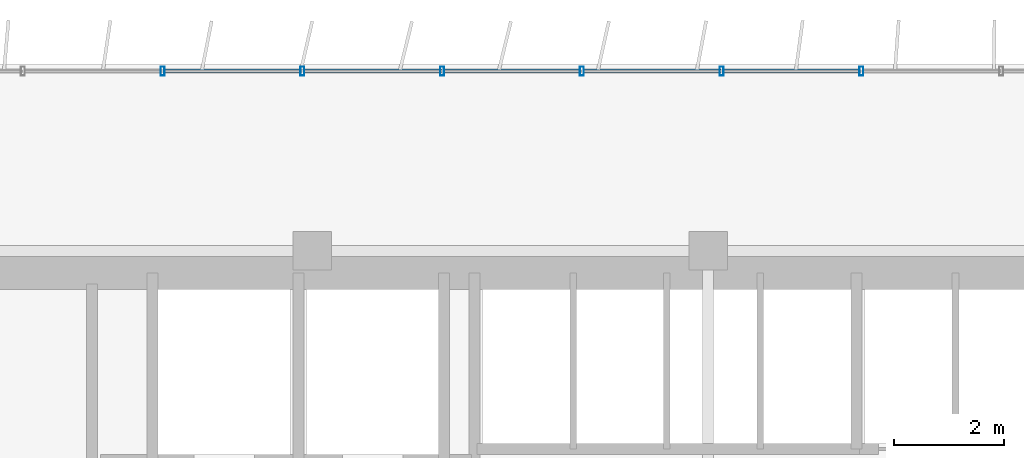
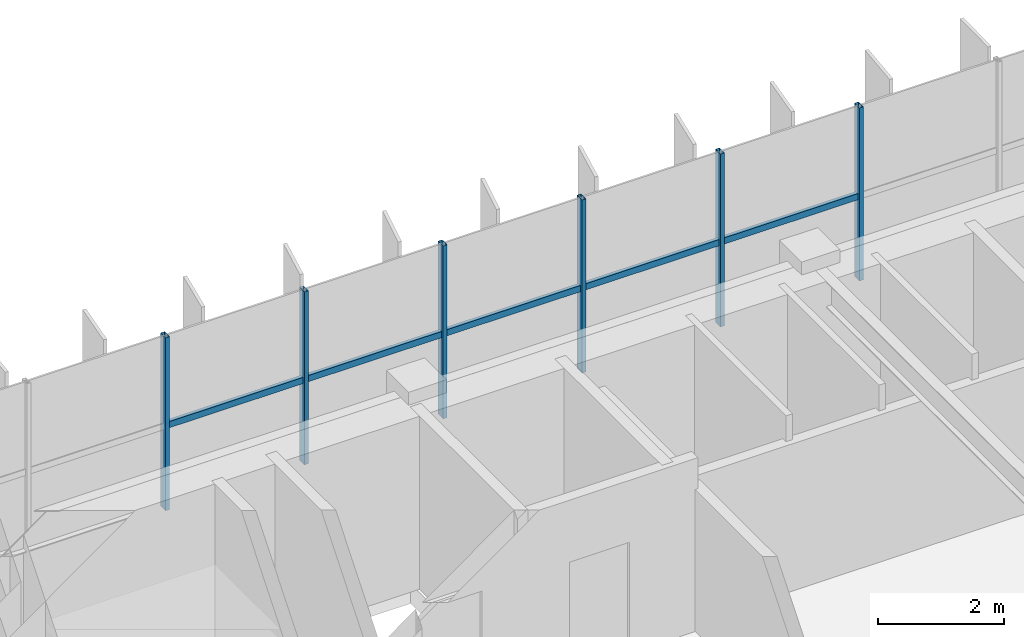
# One storey, part 6 of 22: 11 members, 1 element without a shape of its own.
"""IFC4 building model written with IfcOpenShell, lengths in metres."""

from ifc_helpers import new_model, si_unit, direction, frame, origin, origin_2d, place, context, subcontext, project, spatial, hollow_rectangle, extrude, source, transform, mapped, material, material_profile, profile_set, type_object, element, aggregate, save


model = new_model("IFC4")

# Units and contexts
model_context = context("Model", 3, precision=1e-05, world=origin(), true_north=direction((0.0, 1.0)))
body_context = subcontext(model_context, "Body", "Model", "MODEL_VIEW")
ifc_project = project(units=[si_unit("LENGTHUNIT", "METRE"), si_unit("AREAUNIT", "SQUARE_METRE"), si_unit("VOLUMEUNIT", "CUBIC_METRE"), si_unit("PLANEANGLEUNIT", "RADIAN"), si_unit("MASSUNIT", "GRAM", prefix="KILO")], contexts=[model_context])

# Site, building, storey
site_placement = place(None, origin())
site = spatial("IfcSite", under=ifc_project, at=site_placement, CompositionType="ELEMENT")
building_placement = place(site_placement, origin())
building = spatial("IfcBuilding", under=site, at=building_placement, Name="Trelvane Seafront Commons", CompositionType="ELEMENT")
storey_placement = place(building_placement, frame((0.0, 0.0, 132.10009765625)))
storey = spatial("IfcBuildingStorey", under=building, at=storey_placement, Name="L34", CompositionType="ELEMENT", Elevation=132.10009765625)

# Curtain wall, members
ifc_material = material(Name="Anodised pale-silver aluminium", Category="aluminium")
curtain_wall_type = type_object("IfcCurtainWallType", Name="ARCH-CW5-UPTOWER", PredefinedType="NOTDEFINED", material=ifc_material)
curtain_wall_placement = place(storey_placement, origin())
curtain_wall = element("IfcCurtainWall", 1, at=curtain_wall_placement, inside=storey, type_object=curtain_wall_type, Name="CW-L34-0061", PredefinedType="NOTDEFINED")
ifc_material_profile_1 = material_profile(ifc_material, hollow_rectangle(XDim=0.070068359375, YDim=0.1201171875, WallThickness=0.00390625, at=origin_2d()), Name="TRAN-70x120x4")
ifc_profile_set_1 = profile_set([ifc_material_profile_1], Name="Anodised pale-silver aluminium")
member_type_1 = type_object("IfcMemberType", Name="ARCH-CW-TRAN-120", PredefinedType="USERDEFINED", material=ifc_profile_set_1)
shared_shape_1 = source(origin(), body_context, "Body", "SweptSolid", [
    extrude(hollow_rectangle(XDim=0.070068359375, YDim=0.1201171875, WallThickness=0.00390625, at=origin_2d()), origin(), (0.0, 0.0, 1.0), 2.51708984375),
])
member_1_placement = place(storey_placement, frame((20.6943359375, 48.3701171875, 1.60791015625), z_axis=(1.0, 0.0, 0.0), x_axis=(0.0, 1.0, 0.0)))
member_1 = element("IfcMember", 2, at=member_1_placement, type_object=member_type_1, Name="CW-L34-0061-T02", ObjectType="TRANSOM", PredefinedType="USERDEFINED", context=body_context, shape_type="MappedRepresentation", body=[
    mapped(shared_shape_1, transform((0.0, 0.0, 0.0), x_axis=(1.0, 0.0, 0.0), y_axis=(0.0, 1.0, 0.0), z_axis=(0.0, 0.0, 1.0), scale=1.0)),
])
member_2_placement = place(storey_placement, frame((23.235595703125, 48.3701171875, 1.60791015625), z_axis=(1.0, 0.0, 0.0), x_axis=(0.0, 1.0, 0.0)))
member_2 = element("IfcMember", 3, at=member_2_placement, type_object=member_type_1, Name="CW-L34-0061-T03", ObjectType="TRANSOM", PredefinedType="USERDEFINED", context=body_context, shape_type="MappedRepresentation", body=[
    mapped(shared_shape_1, transform((0.0, 0.0, 0.0), x_axis=(1.0, 0.0, 0.0), y_axis=(0.0, 1.0, 0.0), z_axis=(0.0, 0.0, 1.0), scale=1.0)),
])
member_3_placement = place(storey_placement, frame((30.859130859375, 48.3701171875, 1.60791015625), z_axis=(1.0, 0.0, 0.0), x_axis=(0.0, 1.0, 0.0)))
member_3 = element("IfcMember", 4, at=member_3_placement, type_object=member_type_1, Name="CW-L34-0061-T06", ObjectType="TRANSOM", PredefinedType="USERDEFINED", context=body_context, shape_type="MappedRepresentation", body=[
    mapped(shared_shape_1, transform((0.0, 0.0, 0.0), x_axis=(1.0, 0.0, 0.0), y_axis=(0.0, 1.0, 0.0), z_axis=(0.0, 0.0, 1.0), scale=1.0)),
])
shared_shape_2 = source(origin(), body_context, "Body", "SweptSolid", [
    extrude(hollow_rectangle(XDim=0.070068359375, YDim=0.1201171875, WallThickness=0.00390625, at=origin_2d()), origin(), (0.0, 0.0, 1.0), 2.517333984375),
])
member_4_placement = place(storey_placement, frame((25.776611328125, 48.3701171875, 1.60791015625), z_axis=(1.0, 0.0, 0.0), x_axis=(0.0, 1.0, 0.0)))
member_4 = element("IfcMember", 5, at=member_4_placement, type_object=member_type_1, Name="CW-L34-0061-T04", ObjectType="TRANSOM", PredefinedType="USERDEFINED", context=body_context, shape_type="MappedRepresentation", body=[
    mapped(shared_shape_2, transform((0.0, 0.0, 0.0), x_axis=(1.0, 0.0, 0.0), y_axis=(0.0, 1.0, 0.0), z_axis=(0.0, 0.0, 1.0), scale=1.0)),
])
member_5_placement = place(storey_placement, frame((28.31787109375, 48.3701171875, 1.60791015625), z_axis=(1.0, 0.0, 0.0), x_axis=(0.0, 1.0, 0.0)))
member_5 = element("IfcMember", 6, at=member_5_placement, type_object=member_type_1, Name="CW-L34-0061-T05", ObjectType="TRANSOM", PredefinedType="USERDEFINED", context=body_context, shape_type="MappedRepresentation", body=[
    mapped(shared_shape_2, transform((0.0, 0.0, 0.0), x_axis=(1.0, 0.0, 0.0), y_axis=(0.0, 1.0, 0.0), z_axis=(0.0, 0.0, 1.0), scale=1.0)),
])
ifc_material_profile_2 = material_profile(ifc_material, hollow_rectangle(XDim=0.074951171875, YDim=0.159912109375, WallThickness=0.00390625, at=origin_2d()), Name="MULL-75x160x4")
ifc_profile_set_2 = profile_set([ifc_material_profile_2], Name="Anodised pale-silver aluminium")
member_type_2 = type_object("IfcMemberType", Name="ARCH-CW-MULL-160", PredefinedType="MULLION", material=ifc_profile_set_2)
shared_shape_3 = source(origin(), body_context, "Body", "SweptSolid", [
    extrude(hollow_rectangle(XDim=0.074951171875, YDim=0.159912109375, WallThickness=0.00390625, at=origin_2d()), origin(), (0.0, 0.0, 1.0), 3.349853515625),
])
member_6_placement = place(storey_placement, frame((20.682373046875, 48.3701171875, 0.0), z_axis=(0.0, 0.0, 1.0), x_axis=(1.0, 0.0, 0.0)))
member_6 = element("IfcMember", 7, at=member_6_placement, type_object=member_type_2, Name="CW-L34-0061-M02", PredefinedType="MULLION", context=body_context, shape_type="MappedRepresentation", body=[
    mapped(shared_shape_3, transform((0.0, 0.0, 0.0), x_axis=(1.0, 0.0, 0.0), y_axis=(0.0, 1.0, 0.0), z_axis=(0.0, 0.0, 1.0), scale=1.0)),
])
member_7_placement = place(storey_placement, frame((23.223388671875, 48.3701171875, 0.0), z_axis=(0.0, 0.0, 1.0), x_axis=(1.0, 0.0, 0.0)))
member_7 = element("IfcMember", 8, at=member_7_placement, type_object=member_type_2, Name="CW-L34-0061-M03", PredefinedType="MULLION", context=body_context, shape_type="MappedRepresentation", body=[
    mapped(shared_shape_3, transform((0.0, 0.0, 0.0), x_axis=(1.0, 0.0, 0.0), y_axis=(0.0, 1.0, 0.0), z_axis=(0.0, 0.0, 1.0), scale=1.0)),
])
member_8_placement = place(storey_placement, frame((25.7646484375, 48.3701171875, 0.0), z_axis=(0.0, 0.0, 1.0), x_axis=(1.0, 0.0, 0.0)))
member_8 = element("IfcMember", 9, at=member_8_placement, type_object=member_type_2, Name="CW-L34-0061-M04", PredefinedType="MULLION", context=body_context, shape_type="MappedRepresentation", body=[
    mapped(shared_shape_3, transform((0.0, 0.0, 0.0), x_axis=(1.0, 0.0, 0.0), y_axis=(0.0, 1.0, 0.0), z_axis=(0.0, 0.0, 1.0), scale=1.0)),
])
member_9_placement = place(storey_placement, frame((28.305908203125, 48.3701171875, 0.0), z_axis=(0.0, 0.0, 1.0), x_axis=(1.0, 0.0, 0.0)))
member_9 = element("IfcMember", 10, at=member_9_placement, type_object=member_type_2, Name="CW-L34-0061-M05", PredefinedType="MULLION", context=body_context, shape_type="MappedRepresentation", body=[
    mapped(shared_shape_3, transform((0.0, 0.0, 0.0), x_axis=(1.0, 0.0, 0.0), y_axis=(0.0, 1.0, 0.0), z_axis=(0.0, 0.0, 1.0), scale=1.0)),
])
member_10_placement = place(storey_placement, frame((30.84716796875, 48.3701171875, 0.0), z_axis=(0.0, 0.0, 1.0), x_axis=(1.0, 0.0, 0.0)))
member_10 = element("IfcMember", 11, at=member_10_placement, type_object=member_type_2, Name="CW-L34-0061-M06", PredefinedType="MULLION", context=body_context, shape_type="MappedRepresentation", body=[
    mapped(shared_shape_3, transform((0.0, 0.0, 0.0), x_axis=(1.0, 0.0, 0.0), y_axis=(0.0, 1.0, 0.0), z_axis=(0.0, 0.0, 1.0), scale=1.0)),
])
member_11_placement = place(storey_placement, frame((33.38818359375, 48.3701171875, 0.0), z_axis=(0.0, 0.0, 1.0), x_axis=(1.0, 0.0, 0.0)))
member_11 = element("IfcMember", 12, at=member_11_placement, type_object=member_type_2, Name="CW-L34-0061-M07", PredefinedType="MULLION", context=body_context, shape_type="MappedRepresentation", body=[
    mapped(shared_shape_3, transform((0.0, 0.0, 0.0), x_axis=(1.0, 0.0, 0.0), y_axis=(0.0, 1.0, 0.0), z_axis=(0.0, 0.0, 1.0), scale=1.0)),
])
aggregate(curtain_wall, [member_6, member_7, member_8, member_9, member_10, member_11, member_1, member_2, member_4, member_5, member_3])

save(model, "model.ifc")
